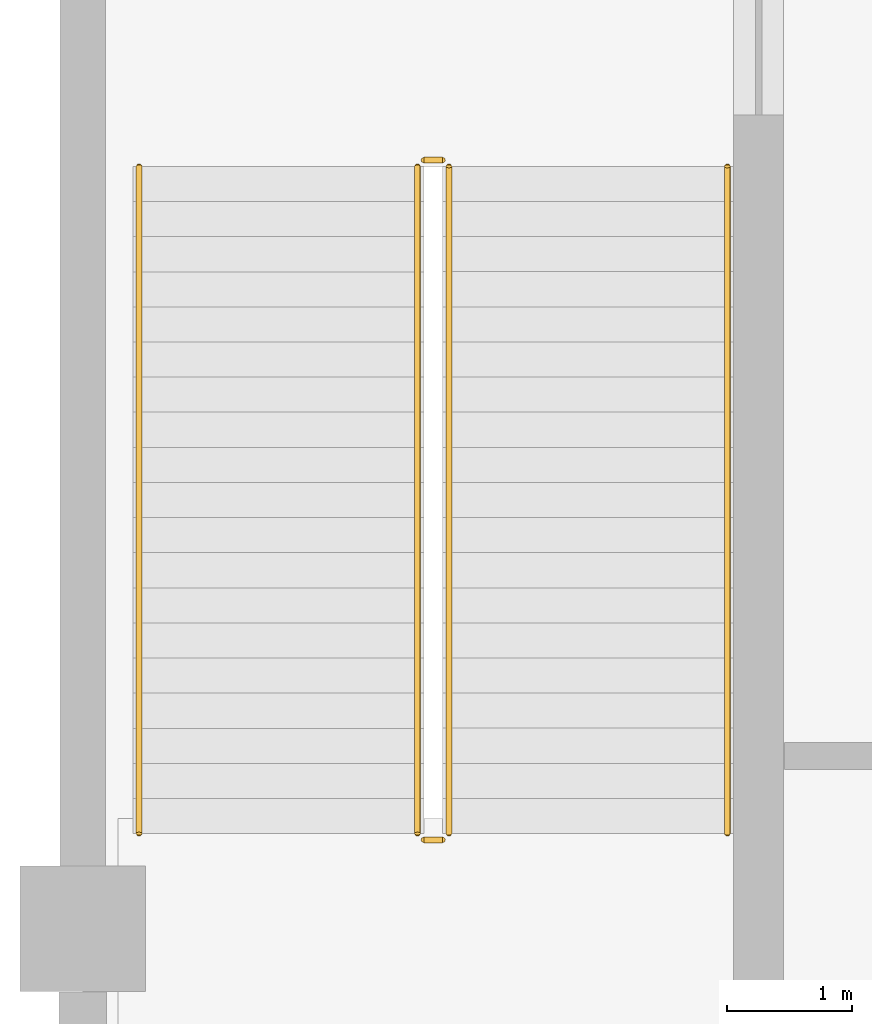
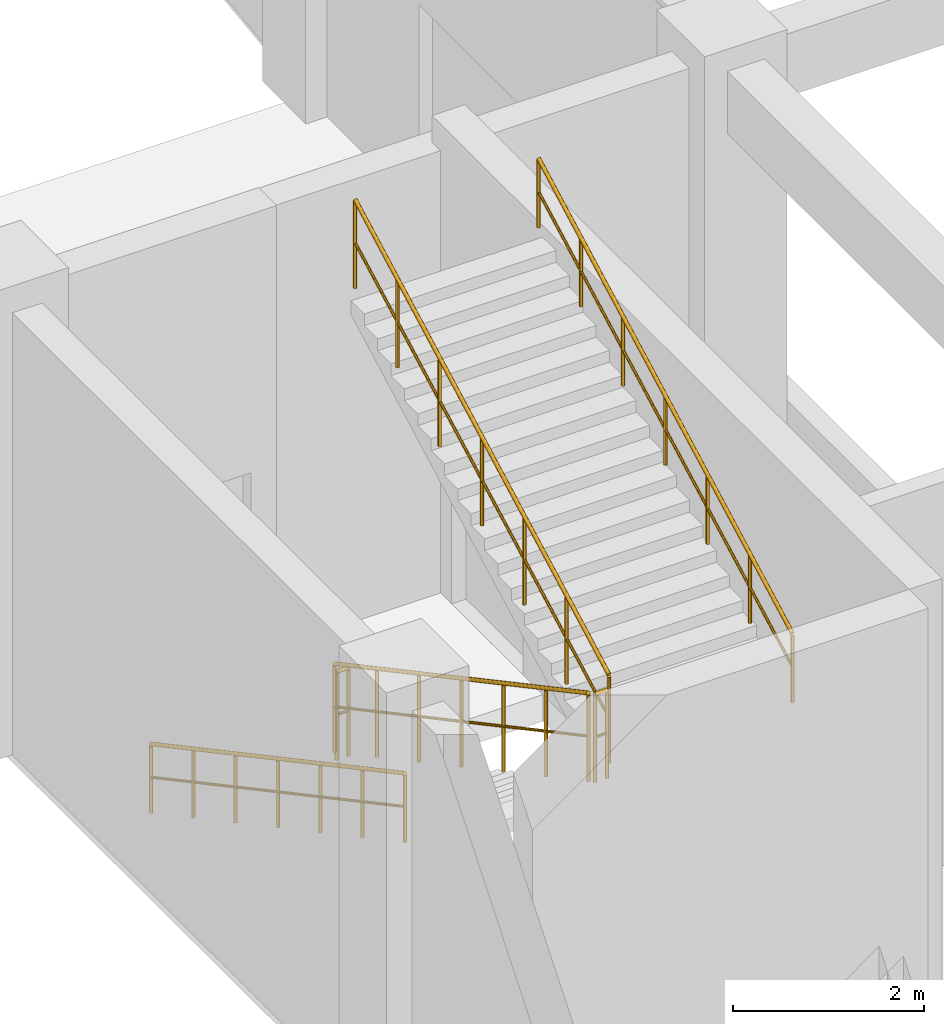
# One storey, part 74 of 82: 6 railings.
"""IFC4 building model written with IfcOpenShell, lengths in metres."""

import ifcopenshell
import ifcopenshell.guid

model = None  # the IFC model being written
_history = None  # IfcOwnerHistory: only IFC2X3 demands one
_inside = {}  # id of a spatial element -> (the spatial element, [elements in it])
_under = {}  # id of a project, library or spatial element -> (it, [spatial elements below it])
_declared = {}  # id of a project -> (the project, [libraries it declares])
_typed = {}  # id of a type object -> (the type object, [elements of that type])
_made_of = {}  # id of a material, layer set ... -> (it, [elements and type objects made of it])


def new_model(schema):
    """Start an empty IFC model of exactly this schema.

    Asked for "IFC4X3", IfcOpenShell would pick the latest addendum, in which some entities
    have other attributes; the version numbers below select the first issue.
    IFC2X3 requires an IfcOwnerHistory on every rooted entity: one is made here for all.
    """
    global model, _history
    if schema == "IFC4X3":
        model = ifcopenshell.file(schema_version=(4, 3, 0, 0))
    else:
        model = ifcopenshell.file(schema=schema)
    _inside.clear()
    _under.clear()
    _declared.clear()
    _typed.clear()
    _made_of.clear()
    _history = None
    if model.schema == "IFC2X3":
        org = make("IfcOrganization", Name="unknown")
        user = make(
            "IfcPersonAndOrganization",
            ThePerson=make("IfcPerson", FamilyName="unknown"),
            TheOrganization=org,
        )
        app = make(
            "IfcApplication",
            ApplicationDeveloper=org,
            Version="unknown",
            ApplicationFullName="unknown",
            ApplicationIdentifier="unknown",
        )
        _history = make(
            "IfcOwnerHistory",
            OwningUser=user,
            OwningApplication=app,
            ChangeAction="ADDED",
            CreationDate=0,
        )
    return model


def make(cls, **values):
    """One entity of the class cls with the attributes given. An attribute that is None is left unset."""
    return model.create_entity(
        cls, **{name: value for name, value in values.items() if value is not None}
    )


def rooted(cls, **values):
    """An entity with a GlobalId (a new one), such as an element, a storey or a relation."""
    return make(cls, GlobalId=ifcopenshell.guid.new(), OwnerHistory=_history, **values)


def si_unit(unit_type, name, prefix=None):
    """IfcSIUnit, for example si_unit("LENGTHUNIT", "METRE", prefix="MILLI")."""
    return make("IfcSIUnit", UnitType=unit_type, Prefix=prefix, Name=name)


def derived_unit(unit_type, elements):
    """IfcDerivedUnit: a product of units, each with its exponent."""
    return make(
        "IfcDerivedUnit",
        Elements=[
            make("IfcDerivedUnitElement", Unit=unit, Exponent=power)
            for unit, power in elements
        ],
        UnitType=unit_type,
    )


def assignment(units):
    """IfcUnitAssignment: the units of a project."""
    return None if units is None else make("IfcUnitAssignment", Units=units)


def point(xyz):
    """IfcCartesianPoint."""
    return None if xyz is None else make("IfcCartesianPoint", Coordinates=xyz)


def direction(xyz):
    """IfcDirection."""
    return None if xyz is None else make("IfcDirection", DirectionRatios=xyz)


def frame(location, z_axis=None, x_axis=None):
    """IfcAxis2Placement3D, a coordinate frame: its origin and axes. An axis left out is left unset."""
    return make(
        "IfcAxis2Placement3D",
        Location=point(location),
        Axis=direction(z_axis),
        RefDirection=direction(x_axis),
    )


def frame_2d(location, x_axis=None):
    """IfcAxis2Placement2D, a coordinate frame in the plane: its origin and x axis."""
    return make(
        "IfcAxis2Placement2D", Location=point(location), RefDirection=direction(x_axis)
    )


def origin():
    """The frame at (0, 0, 0) with its axes left unset."""
    return frame((0.0, 0.0, 0.0))


def origin_2d():
    """The frame at (0, 0) in the plane with its x axis left unset."""
    return frame_2d((0.0, 0.0))


def place(relative_to, where):
    """IfcLocalPlacement: puts the frame where relative to a parent placement (None: the world)."""
    return make(
        "IfcLocalPlacement", PlacementRelTo=relative_to, RelativePlacement=where
    )


def context(
    kind, dimensions, precision=None, world=None, true_north=None, identifier=None
):
    """IfcGeometricRepresentationContext, for example the 3D "Model" context."""
    return make(
        "IfcGeometricRepresentationContext",
        ContextIdentifier=identifier,
        ContextType=kind,
        CoordinateSpaceDimension=dimensions,
        Precision=precision,
        WorldCoordinateSystem=world,
        TrueNorth=true_north,
    )


def subcontext(parent, identifier, kind, view, scale=None):
    """IfcGeometricRepresentationSubContext, for example "Body" below "Model"."""
    return make(
        "IfcGeometricRepresentationSubContext",
        ContextIdentifier=identifier,
        ContextType=kind,
        ParentContext=parent,
        TargetScale=scale,
        TargetView=view,
    )


def project(units=None, contexts=None):
    """IfcProject with its units and contexts."""
    return rooted(
        "IfcProject",
        Name="project",
        RepresentationContexts=contexts,
        UnitsInContext=assignment(units),
    )


def spatial(cls, under=None, at=None, **own):
    """A site, building, storey or space (cls), placed at a placement, below another one or the project."""
    s = rooted(cls, ObjectPlacement=at, **own)
    if under is not None:
        _under.setdefault(under.id(), (under, []))[1].append(s)
    return s


def profile(cls, at=None, kind="AREA", **sizes):
    """A parametric profile (cls). Its sizes go by their IFC names, for example OverallWidth=200.0."""
    return make(cls, ProfileType=kind, Position=at, **sizes)


def circle(**sizes):
    """IfcCircleProfileDef."""
    return profile("IfcCircleProfileDef", **sizes)


def extrude(swept, where, along, depth):
    """IfcExtrudedAreaSolid: the profile swept, set in the frame where, extruded along a direction by depth."""
    return make(
        "IfcExtrudedAreaSolid",
        SweptArea=swept,
        Position=where,
        ExtrudedDirection=direction(along),
        Depth=depth,
    )


def shape(context_of_items, identifier, shape_type, items):
    """IfcShapeRepresentation: the items that make up one representation, for example the "Body"."""
    return make(
        "IfcShapeRepresentation",
        ContextOfItems=context_of_items,
        RepresentationIdentifier=identifier,
        RepresentationType=shape_type,
        Items=items,
    )


def material(Name=None, Category=None):
    """IfcMaterial."""
    return make("IfcMaterial", Name=Name, Category=Category)


def made_of(thing, what):
    """Note that an element or type object is made of a material, layer set ...; save() writes the relation."""
    if what is not None:
        _made_of.setdefault(what.id(), (what, []))[1].append(thing)
    return thing


def type_object(cls, material=None, **own):
    """A type object (cls), such as IfcWallType, which elements share."""
    return made_of(rooted(cls, **own), material)


def element(
    cls,
    number,
    at=None,
    inside=None,
    cuts=None,
    type_object=None,
    material=None,
    context=None,
    identifier="Body",
    shape_type=None,
    held_by="IfcProductDefinitionShape",
    body=None,
    shapes=None,
    **own,
):
    """One element of the class cls, such as IfcWall. Its Tag is "e" and its number.

    at: its placement. inside: the storey or other place that contains it. cuts: it is an
    opening in that element (IfcRelVoidsElement). A single representation is given by context,
    identifier, shape_type and body (its items); several are given by shapes. held_by: the class
    of the entity that holds the representations. save() writes the other relations.
    """
    e = rooted(cls, Tag="e%d" % number, ObjectPlacement=at, **own)
    if body is not None:
        shapes = [shape(context, identifier, shape_type, body)]
    if shapes is not None:
        e.Representation = make(held_by, Representations=shapes)
    if inside is not None:
        _inside.setdefault(inside.id(), (inside, []))[1].append(e)
    if cuts is not None:
        rooted(
            "IfcRelVoidsElement", RelatingBuildingElement=cuts, RelatedOpeningElement=e
        )
    if type_object is not None:
        _typed.setdefault(type_object.id(), (type_object, []))[1].append(e)
    return made_of(e, material)


def aggregate(whole, parts):
    """IfcRelAggregates: a whole, such as a stair, and the parts it consists of."""
    return rooted("IfcRelAggregates", RelatingObject=whole, RelatedObjects=parts)


def save(model, path):
    """Write the relations noted so far, then the file.

    IfcRelAggregates (storeys below a building ...), IfcRelContainedInSpatialStructure (elements
    in a storey), IfcRelDefinesByType, IfcRelAssociatesMaterial and IfcRelDeclares: one each for
    every whole, place, type object, material and project.
    """
    for whole, parts in _under.values():
        aggregate(whole, parts)
    for where, things in _inside.values():
        rooted(
            "IfcRelContainedInSpatialStructure",
            RelatedElements=things,
            RelatingStructure=where,
        )
    for kind, things in _typed.values():
        rooted("IfcRelDefinesByType", RelatedObjects=things, RelatingType=kind)
    for what, things in _made_of.values():
        rooted("IfcRelAssociatesMaterial", RelatedObjects=things, RelatingMaterial=what)
    for by, libraries in _declared.values():
        rooted("IfcRelDeclares", RelatingContext=by, RelatedDefinitions=libraries)
    model.write(path)


model = new_model("IFC4")

# Units and contexts
model_context = context("Model", 3, precision=1e-05, world=origin(), true_north=direction((0.0, 1.0)))
body_context = subcontext(model_context, "Body", "Model", "MODEL_VIEW")
ifc_project = project(units=[si_unit("LENGTHUNIT", "METRE"), si_unit("AREAUNIT", "SQUARE_METRE"), si_unit("VOLUMEUNIT", "CUBIC_METRE"), si_unit("PLANEANGLEUNIT", "RADIAN"), si_unit("MASSUNIT", "GRAM", prefix="KILO"), derived_unit("THERMALTRANSMITTANCEUNIT", [(si_unit("MASSUNIT", "GRAM", prefix="KILO"), 1), (si_unit("TIMEUNIT", "SECOND"), -3), (si_unit("THERMODYNAMICTEMPERATUREUNIT", "KELVIN"), -1)])], contexts=[model_context])

# Site, building, storey
site_placement = place(None, origin())
site = spatial("IfcSite", under=ifc_project, at=site_placement, CompositionType="ELEMENT")
building_placement = place(site_placement, origin())
building = spatial("IfcBuilding", under=site, at=building_placement, Name="Qinzheling Arcade Emporium", CompositionType="ELEMENT")
storey_placement = place(building_placement, origin())
storey = spatial("IfcBuildingStorey", under=building, at=storey_placement, Name="L01", CompositionType="ELEMENT", Elevation=0.0)

# Railings
ifc_material_1 = material(Name="Galvanised powder-coated tubular steel", Category="steel")
railing_type_1 = type_object("IfcRailingType", Name="Painted Steel Stairwell Guard Railing 1150", PredefinedType="GUARDRAIL", material=ifc_material_1)
railing_1_placement = place(storey_placement, frame((2.669921875, 39.679931640625, 0.14990234375)))
element("IfcRailing", 1, at=railing_1_placement, inside=storey, type_object=railing_type_1, Name="L01 ST02 stair guard 1", PredefinedType="GUARDRAIL", context=body_context, shape_type="SweptSolid", body=[
    extrude(circle(Radius=0.02392578125, at=origin_2d()), frame((0.0, 0.0, 1.1259765625), z_axis=(0.0, -0.881466739329, 0.472246108991), x_axis=(1.0, 0.0, 0.0)), (0.0, 0.0, 1.0), 6.03515625),
    extrude(circle(Radius=0.01611328125, at=origin_2d()), frame((0.0, 0.0, 0.574951171875), z_axis=(0.0, -0.881466739329, 0.472246108991), x_axis=(1.0, 0.0, 0.0)), (0.0, 0.0, 1.0), 6.03515625),
    extrude(circle(Radius=0.02099609375, at=origin_2d()), origin(), (0.0, 0.0, 1.0), 1.101806640625),
    extrude(circle(Radius=0.02099609375, at=origin_2d()), frame((0.0, -0.88671875, 0.47509765625)), (0.0, 0.0, 1.0), 1.101806640625),
    extrude(circle(Radius=0.02099609375, at=origin_2d()), frame((0.0, -1.773193359375, 0.949951171875)), (0.0, 0.0, 1.0), 1.101806640625),
    extrude(circle(Radius=0.02099609375, at=origin_2d()), frame((0.0, -2.659912109375, 1.425048828125)), (0.0, 0.0, 1.0), 1.101806640625),
    extrude(circle(Radius=0.02099609375, at=origin_2d()), frame((0.0, -3.546630859375, 1.900146484375)), (0.0, 0.0, 1.0), 1.101806640625),
    extrude(circle(Radius=0.02099609375, at=origin_2d()), frame((0.0, -4.43310546875, 2.375)), (0.0, 0.0, 1.0), 1.101806640625),
    extrude(circle(Radius=0.02099609375, at=origin_2d()), frame((0.0, -5.31982421875, 2.85009765625)), (0.0, 0.0, 1.0), 1.101806640625),
])
railing_2_placement = place(storey_placement, frame((2.719970703125, 34.31005859375, 3.0)))
element("IfcRailing", 2, at=railing_2_placement, inside=storey, type_object=railing_type_1, Name="L01 ST02 stair guard 2", PredefinedType="GUARDRAIL", context=body_context, shape_type="SweptSolid", body=[
    extrude(circle(Radius=0.02392578125, at=origin_2d()), frame((0.0, 0.0, 1.1259765625), z_axis=(1.0, 0.0, 0.0), x_axis=(0.0, 1.0, 0.0)), (0.0, 0.0, 1.0), 0.150146484375),
    extrude(circle(Radius=0.01611328125, at=origin_2d()), frame((0.0, 0.0, 0.574951171875), z_axis=(1.0, 0.0, 0.0), x_axis=(0.0, 1.0, 0.0)), (0.0, 0.0, 1.0), 0.150146484375),
    extrude(circle(Radius=0.02099609375, at=origin_2d()), origin(), (0.0, 0.0, 1.0), 1.101806640625),
    extrude(circle(Radius=0.02099609375, at=origin_2d()), frame((0.150146484375, 0.0, 0.0)), (0.0, 0.0, 1.0), 1.101806640625),
])
railing_3_placement = place(storey_placement, frame((2.919921875, 34.360107421875, 3.14990234375)))
element("IfcRailing", 3, at=railing_3_placement, inside=storey, type_object=railing_type_1, Name="L01 ST02 stair guard 3", PredefinedType="GUARDRAIL", context=body_context, shape_type="SweptSolid", body=[
    extrude(circle(Radius=0.02392578125, at=origin_2d()), frame((0.0, 0.0, 1.1259765625), z_axis=(0.0, 0.881466739329, 0.472246108991), x_axis=(-1.0, 0.0, 0.0)), (0.0, 0.0, 1.0), 6.03515625),
    extrude(circle(Radius=0.01611328125, at=origin_2d()), frame((0.0, 0.0, 0.574951171875), z_axis=(0.0, 0.881466739329, 0.472246108991), x_axis=(-1.0, 0.0, 0.0)), (0.0, 0.0, 1.0), 6.03515625),
    extrude(circle(Radius=0.02099609375, at=origin_2d()), origin(), (0.0, 0.0, 1.0), 1.101806640625),
    extrude(circle(Radius=0.02099609375, at=origin_2d()), frame((0.0, 0.88671875, 0.47509765625)), (0.0, 0.0, 1.0), 1.101806640625),
    extrude(circle(Radius=0.02099609375, at=origin_2d()), frame((0.0, 1.773193359375, 0.949951171875)), (0.0, 0.0, 1.0), 1.101806640625),
    extrude(circle(Radius=0.02099609375, at=origin_2d()), frame((0.0, 2.659912109375, 1.425048828125)), (0.0, 0.0, 1.0), 1.101806640625),
    extrude(circle(Radius=0.02099609375, at=origin_2d()), frame((0.0, 3.546630859375, 1.900146484375)), (0.0, 0.0, 1.0), 1.101806640625),
    extrude(circle(Radius=0.02099609375, at=origin_2d()), frame((0.0, 4.43310546875, 2.375)), (0.0, 0.0, 1.0), 1.101806640625),
    extrude(circle(Radius=0.02099609375, at=origin_2d()), frame((0.0, 5.31982421875, 2.85009765625)), (0.0, 0.0, 1.0), 1.101806640625),
])
railing_4_placement = place(storey_placement, frame((2.719970703125, 39.72998046875, 0.0)))
element("IfcRailing", 4, at=railing_4_placement, inside=storey, type_object=railing_type_1, Name="L01 ST02 stair guard 4", PredefinedType="GUARDRAIL", context=body_context, shape_type="SweptSolid", body=[
    extrude(circle(Radius=0.02392578125, at=origin_2d()), frame((0.0, 0.0, 1.1259765625), z_axis=(1.0, 0.0, 0.0), x_axis=(0.0, 1.0, 0.0)), (0.0, 0.0, 1.0), 0.150146484375),
    extrude(circle(Radius=0.01611328125, at=origin_2d()), frame((0.0, 0.0, 0.574951171875), z_axis=(1.0, 0.0, 0.0), x_axis=(0.0, 1.0, 0.0)), (0.0, 0.0, 1.0), 0.150146484375),
    extrude(circle(Radius=0.02099609375, at=origin_2d()), origin(), (0.0, 0.0, 1.0), 1.101806640625),
    extrude(circle(Radius=0.02099609375, at=origin_2d()), frame((0.150146484375, 0.0, 0.0)), (0.0, 0.0, 1.0), 1.101806640625),
])
ifc_material_2 = material(Name="Brushed stainless steel 304", Category="steel")
railing_type_2 = type_object("IfcRailingType", Name="Stainless Steel Wall Handrail 900", PredefinedType="HANDRAIL", material=ifc_material_2)
railing_5_placement = place(storey_placement, frame((0.449951171875, 39.679931640625, 0.14990234375)))
element("IfcRailing", 5, at=railing_5_placement, inside=storey, type_object=railing_type_2, Name="L01 ST02 stair handrail 1", PredefinedType="HANDRAIL", context=body_context, shape_type="SweptSolid", body=[
    extrude(circle(Radius=0.02392578125, at=origin_2d()), frame((0.0, 0.0, 0.8759765625), z_axis=(0.0, -0.881466739329, 0.472246108991), x_axis=(1.0, 0.0, 0.0)), (0.0, 0.0, 1.0), 6.03515625),
    extrude(circle(Radius=0.01611328125, at=origin_2d()), frame((0.0, 0.0, 0.449951171875), z_axis=(0.0, -0.881466739329, 0.472246108991), x_axis=(1.0, 0.0, 0.0)), (0.0, 0.0, 1.0), 6.03515625),
    extrude(circle(Radius=0.02099609375, at=origin_2d()), origin(), (0.0, 0.0, 1.0), 0.851806640625),
    extrude(circle(Radius=0.02099609375, at=origin_2d()), frame((0.0, -0.88671875, 0.47509765625)), (0.0, 0.0, 1.0), 0.851806640625),
    extrude(circle(Radius=0.02099609375, at=origin_2d()), frame((0.0, -1.773193359375, 0.949951171875)), (0.0, 0.0, 1.0), 0.851806640625),
    extrude(circle(Radius=0.02099609375, at=origin_2d()), frame((0.0, -2.659912109375, 1.425048828125)), (0.0, 0.0, 1.0), 0.851806640625),
    extrude(circle(Radius=0.02099609375, at=origin_2d()), frame((0.0, -3.546630859375, 1.900146484375)), (0.0, 0.0, 1.0), 0.851806640625),
    extrude(circle(Radius=0.02099609375, at=origin_2d()), frame((0.0, -4.43310546875, 2.375)), (0.0, 0.0, 1.0), 0.851806640625),
    extrude(circle(Radius=0.02099609375, at=origin_2d()), frame((0.0, -5.31982421875, 2.85009765625)), (0.0, 0.0, 1.0), 0.851806640625),
])
railing_6_placement = place(storey_placement, frame((5.139892578125, 34.360107421875, 3.14990234375)))
element("IfcRailing", 6, at=railing_6_placement, inside=storey, type_object=railing_type_2, Name="L01 ST02 stair handrail 2", PredefinedType="HANDRAIL", context=body_context, shape_type="SweptSolid", body=[
    extrude(circle(Radius=0.02392578125, at=origin_2d()), frame((0.0, 0.0, 0.8759765625), z_axis=(0.0, 0.881466739329, 0.472246108991), x_axis=(-1.0, 0.0, 0.0)), (0.0, 0.0, 1.0), 6.03515625),
    extrude(circle(Radius=0.01611328125, at=origin_2d()), frame((0.0, 0.0, 0.449951171875), z_axis=(0.0, 0.881466739329, 0.472246108991), x_axis=(-1.0, 0.0, 0.0)), (0.0, 0.0, 1.0), 6.03515625),
    extrude(circle(Radius=0.02099609375, at=origin_2d()), origin(), (0.0, 0.0, 1.0), 0.851806640625),
    extrude(circle(Radius=0.02099609375, at=origin_2d()), frame((0.0, 0.88671875, 0.47509765625)), (0.0, 0.0, 1.0), 0.851806640625),
    extrude(circle(Radius=0.02099609375, at=origin_2d()), frame((0.0, 1.773193359375, 0.949951171875)), (0.0, 0.0, 1.0), 0.851806640625),
    extrude(circle(Radius=0.02099609375, at=origin_2d()), frame((0.0, 2.659912109375, 1.425048828125)), (0.0, 0.0, 1.0), 0.851806640625),
    extrude(circle(Radius=0.02099609375, at=origin_2d()), frame((0.0, 3.546630859375, 1.900146484375)), (0.0, 0.0, 1.0), 0.851806640625),
    extrude(circle(Radius=0.02099609375, at=origin_2d()), frame((0.0, 4.43310546875, 2.375)), (0.0, 0.0, 1.0), 0.851806640625),
    extrude(circle(Radius=0.02099609375, at=origin_2d()), frame((0.0, 5.31982421875, 2.85009765625)), (0.0, 0.0, 1.0), 0.851806640625),
])

save(model, "model.ifc")
